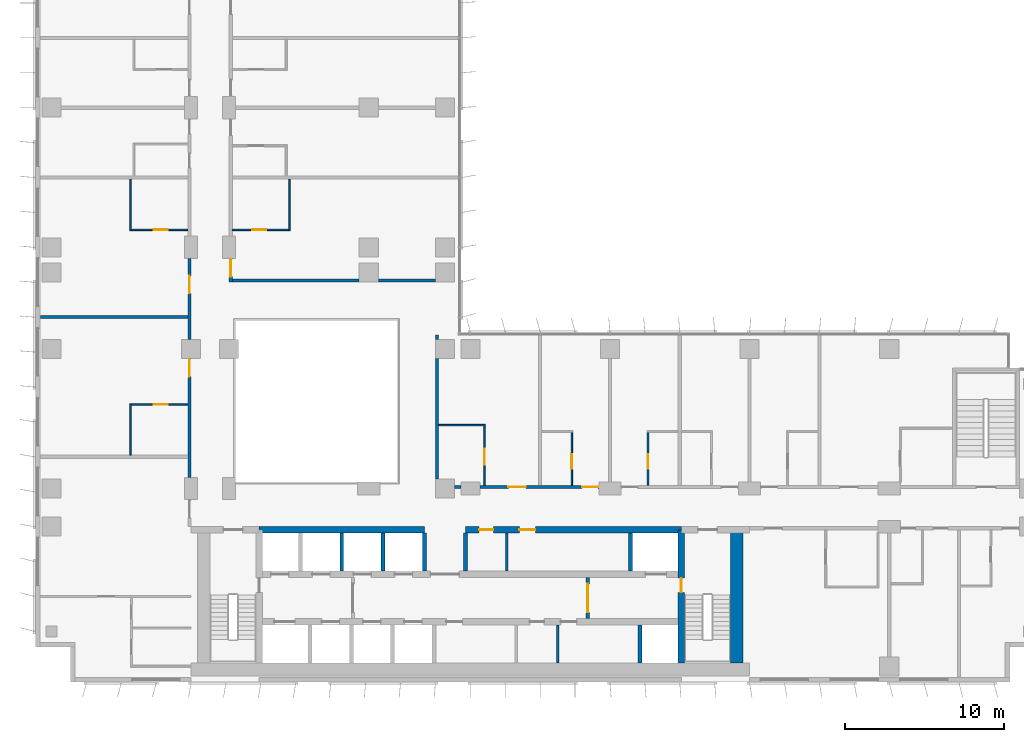
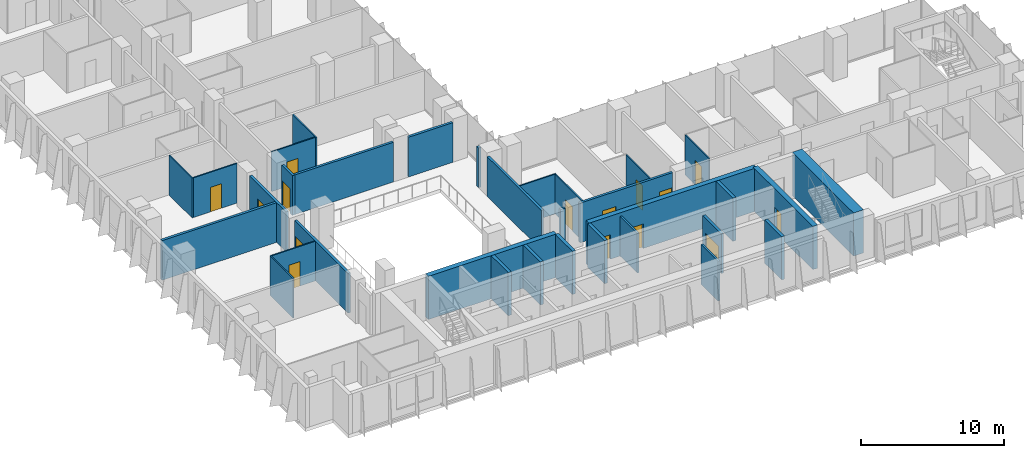
# One storey, part 13 of 23: 33 walls, 15 doors, 15 openings.
"""IFC4 building model written with IfcOpenShell, lengths in metres."""

from ifc_helpers import new_model, si_unit, direction, frame, frame_2d, origin, place, context, subcontext, project, spatial, rectangle, extrude, material, layer, layer_set, type_object, element, fill, save


model = new_model("IFC4")

# Units and contexts
model_context = context("Model", 3, precision=1e-05, world=origin(), true_north=direction((0.0, 1.0)))
body_context = subcontext(model_context, "Body", "Model", "MODEL_VIEW")
ifc_project = project(units=[si_unit("LENGTHUNIT", "METRE"), si_unit("AREAUNIT", "SQUARE_METRE"), si_unit("VOLUMEUNIT", "CUBIC_METRE"), si_unit("PLANEANGLEUNIT", "RADIAN"), si_unit("MASSUNIT", "GRAM", prefix="KILO")], contexts=[model_context])

# Site, building, storey
site_placement = place(None, origin())
site = spatial("IfcSite", under=ifc_project, at=site_placement, CompositionType="ELEMENT")
building_placement = place(site_placement, origin())
building = spatial("IfcBuilding", under=site, at=building_placement, Name="Kemantara Hotel Tower", CompositionType="ELEMENT")
storey_placement = place(building_placement, frame((0.0, 0.0, 138.300048828125)))
storey = spatial("IfcBuildingStorey", under=building, at=storey_placement, Name="L33", CompositionType="ELEMENT", Elevation=138.300048828125)

# Walls
ifc_material_1 = material(Name="Concrete fc 60 MPa", Category="concrete")
ifc_layer_1 = layer(ifc_material_1, 0.25)
ifc_layer_set_1 = layer_set([ifc_layer_1], Name="Concrete fc 60 MPa")
wall_type_1 = type_object("IfcWallType", Name="CORE WALL 250 FC60", PredefinedType="SHEAR", material=ifc_layer_set_1)
wall_1_placement = place(storey_placement, frame((38.10009765625, 1.199951171875, 0.0), z_axis=(0.0, 0.0, 1.0), x_axis=(0.0, 1.0, 0.0)))
element("IfcWall", 1, at=wall_1_placement, inside=storey, type_object=wall_type_1, Name="CORE WALL CW-DS38.1", PredefinedType="SHEAR", context=body_context, shape_type="SweptSolid", body=[
    extrude(rectangle(XDim=2.400146484375, YDim=0.25, at=frame_2d((1.2001953125, 0.0))), origin(), (0.0, 0.0, 1.0), 3.699951171875),
])
for number, where, z_axis, x_axis, name in (
    (2, (19.300048828125, 7.0, 0.0), (0.0, 0.0, 1.0), (0.0, 1.0, 0.0), "CORE WALL CW-DN19.3"),
    (3, (21.89990234375, 7.0, 0.0), (0.0, 0.0, 1.0), (0.0, 1.0, 0.0), "CORE WALL CW-DN21.9"),
    (4, (24.5, 7.0, 0.0), (0.0, 0.0, 1.0), (0.0, 1.0, 0.0), "CORE WALL CW-DN24.5"),
    (5, (27.10009765625, 7.0, 0.0), (0.0, 0.0, 1.0), (0.0, 1.0, 0.0), "CORE WALL CW-DN27.1"),
    (6, (37.5, 7.0, 0.0), (0.0, 0.0, 1.0), (0.0, 1.0, 0.0), "CORE WALL CW-DN37.5"),
):
    element("IfcWall", number, at=place(storey_placement, frame(where, z_axis=z_axis, x_axis=x_axis)), inside=storey, type_object=wall_type_1, Name=name, PredefinedType="SHEAR", context=body_context, shape_type="SweptSolid", body=[
        extrude(rectangle(XDim=2.39990234375, YDim=0.25, at=frame_2d((1.199951171875, 0.0))), origin(), (0.0, 0.0, 1.0), 3.699951171875),
    ])
ifc_layer_2 = layer(ifc_material_1, 0.39990234375)
ifc_layer_set_2 = layer_set([ifc_layer_2], Name="Concrete fc 60 MPa")
wall_type_2 = type_object("IfcWallType", Name="CORE WALL 400 FC60", PredefinedType="SHEAR", material=ifc_layer_set_2)
wall_2_placement = place(storey_placement, frame((14.10009765625, 9.60009765625, 0.0), z_axis=(0.0, 0.0, 1.0), x_axis=(1.0, 0.0, 0.0)))
element("IfcWall", 7, at=wall_2_placement, inside=storey, type_object=wall_type_2, Name="CORE WALL CW-NN1", PredefinedType="SHEAR", context=body_context, shape_type="SweptSolid", body=[
    extrude(rectangle(XDim=10.39990234375, YDim=0.39990234375, at=frame_2d((5.199951171875, 0.0))), origin(), (0.0, 0.0, 1.0), 3.699951171875),
])

# Wall, openings, doors
wall_3_placement = place(storey_placement, frame((27.10009765625, 9.60009765625, 0.0), z_axis=(0.0, 0.0, 1.0), x_axis=(1.0, 0.0, 0.0)))
wall_3 = element("IfcWall", 8, at=wall_3_placement, inside=storey, type_object=wall_type_2, Name="CORE WALL CW-NN2", PredefinedType="SHEAR", context=body_context, shape_type="SweptSolid", body=[
    extrude(rectangle(XDim=13.599853515625, YDim=0.39990234375, at=frame_2d((6.7998046875, 0.0))), origin(), (0.0, 0.0, 1.0), 3.699951171875),
])
opening_1_placement = place(wall_3_placement, frame((0.85009765625, 0.0, 0.0)))
opening_1 = element("IfcOpeningElement", 9, at=opening_1_placement, cuts=wall_3, Name="Opening C22-R-NE1", PredefinedType="OPENING", context=body_context, shape_type="SweptSolid", body=[
    extrude(rectangle(XDim=0.89990234375, YDim=2.10009765625, at=frame_2d((0.449951171875, 1.050048828125))), frame((0.0, 0.2099609375, 0.0), z_axis=(0.0, -1.0, 0.0), x_axis=(1.0, 0.0, 0.0)), (0.0, 0.0, 1.0), 0.419921875),
])
opening_2_placement = place(wall_3_placement, frame((3.39990234375, 0.0, 0.0)))
opening_2 = element("IfcOpeningElement", 10, at=opening_2_placement, cuts=wall_3, Name="Opening C22-R-NE2", PredefinedType="OPENING", context=body_context, shape_type="SweptSolid", body=[
    extrude(rectangle(XDim=1.0, YDim=2.10009765625, at=frame_2d((0.5, 1.050048828125))), frame((0.0, 0.2099609375, 0.0), z_axis=(0.0, -1.0, 0.0), x_axis=(1.0, 0.0, 0.0)), (0.0, 0.0, 1.0), 0.419921875),
])
ifc_material_2 = material(Name="Steel fire door", Category="steel")
door_type_1 = type_object("IfcDoorType", Name="Fire door FD30S 1000 x 2100", OperationType="NOTDEFINED", PredefinedType="DOOR", material=ifc_material_2)
door_1_placement = place(opening_2_placement, frame((1.0, 0.0, 0.0), z_axis=(0.0, 0.0, 1.0), x_axis=(-1.0, 0.0, 0.0)))
door_1 = element("IfcDoor", 11, at=door_1_placement, inside=storey, type_object=door_type_1, Name="Linen Store door", OperationType="SINGLE_SWING_RIGHT", OverallHeight=2.10009765625, OverallWidth=1.0, PredefinedType="DOOR", context=body_context, shape_type="SweptSolid", body=[
    extrude(rectangle(XDim=1.0, YDim=2.10009765625, at=frame_2d((0.5, 1.050048828125))), frame((0.0, 0.02490234375, 0.0), z_axis=(0.0, -1.0, 0.0), x_axis=(1.0, 0.0, 0.0)), (0.0, 0.0, 1.0), 0.050048828125),
])
fill(opening_2, door_1)
door_type_2 = type_object("IfcDoorType", Name="Fire door FD30S 900 x 2100", OperationType="NOTDEFINED", PredefinedType="DOOR", material=ifc_material_2)
door_2_placement = place(opening_1_placement, frame((0.89990234375, 0.0, 0.0), z_axis=(0.0, 0.0, 1.0), x_axis=(-1.0, 0.0, 0.0)))
door_2 = element("IfcDoor", 12, at=door_2_placement, inside=storey, type_object=door_type_2, Name="Staff Wc door", OperationType="SINGLE_SWING_RIGHT", OverallHeight=2.10009765625, OverallWidth=0.89990234375, PredefinedType="DOOR", context=body_context, shape_type="SweptSolid", body=[
    extrude(rectangle(XDim=0.89990234375, YDim=2.10009765625, at=frame_2d((0.449951171875, 1.050048828125))), frame((0.0, 0.02490234375, 0.0), z_axis=(0.0, -1.0, 0.0), x_axis=(1.0, 0.0, 0.0)), (0.0, 0.0, 1.0), 0.050048828125),
])
fill(opening_1, door_2)

# Wall, opening, door
wall_4_placement = place(storey_placement, frame((40.699951171875, 1.199951171875, 0.0), z_axis=(0.0, 0.0, 1.0), x_axis=(0.0, 1.0, 0.0)))
wall_4 = element("IfcWall", 13, at=wall_4_placement, inside=storey, type_object=wall_type_2, Name="CORE WALL CW-ST2W", PredefinedType="SHEAR", context=body_context, shape_type="SweptSolid", body=[
    extrude(rectangle(XDim=8.400146484375, YDim=0.39990234375, at=frame_2d((4.2001953125, 0.0))), origin(), (0.0, 0.0, 1.0), 3.699951171875),
])
opening_3_placement = place(wall_4_placement, frame((4.449951171875, 0.0, 0.0)))
opening_3 = element("IfcOpeningElement", 14, at=opening_3_placement, cuts=wall_4, Name="Opening C22-ST2-F", PredefinedType="OPENING", context=body_context, shape_type="SweptSolid", body=[
    extrude(rectangle(XDim=0.89990234375, YDim=2.10009765625, at=frame_2d((0.449951171875, 1.050048828125))), frame((0.0, 0.2099609375, 0.0), z_axis=(0.0, -1.0, 0.0), x_axis=(1.0, 0.0, 0.0)), (0.0, 0.0, 1.0), 0.419921875),
])
door_type_3 = type_object("IfcDoorType", Name="Fire door FD90 900 x 2100", OperationType="NOTDEFINED", PredefinedType="DOOR", material=ifc_material_2)
door_3_placement = place(opening_3_placement, frame((0.89990234375, 0.0, 0.0), z_axis=(0.0, 0.0, 1.0), x_axis=(-1.0, 0.0, 0.0)))
door_3 = element("IfcDoor", 15, at=door_3_placement, inside=storey, type_object=door_type_3, Name="Stair ST2 door to firefighting lobby", OperationType="SINGLE_SWING_LEFT", OverallHeight=2.10009765625, OverallWidth=0.89990234375, PredefinedType="DOOR", context=body_context, shape_type="SweptSolid", body=[
    extrude(rectangle(XDim=0.89990234375, YDim=2.10009765625, at=frame_2d((0.449951171875, 1.050048828125))), frame((0.0, 0.02490234375, 0.0), z_axis=(0.0, -1.0, 0.0), x_axis=(1.0, 0.0, 0.0)), (0.0, 0.0, 1.0), 0.050048828125),
])
fill(opening_3, door_3)

# Walls
ifc_layer_3 = layer(ifc_material_1, 0.800048828125)
ifc_layer_set_3 = layer_set([ifc_layer_3], Name="Concrete fc 60 MPa")
wall_type_3 = type_object("IfcWallType", Name="CORE WALL 800 FC60", PredefinedType="SHEAR", material=ifc_layer_set_3)
wall_5_placement = place(storey_placement, frame((44.199951171875, 1.199951171875, 0.0), z_axis=(0.0, 0.0, 1.0), x_axis=(0.0, 1.0, 0.0)))
element("IfcWall", 16, at=wall_5_placement, inside=storey, type_object=wall_type_3, Name="CORE WALL CW-E", PredefinedType="SHEAR", context=body_context, shape_type="SweptSolid", body=[
    extrude(rectangle(XDim=8.60009765625, YDim=0.800048828125, at=frame_2d((4.300048828125, 0.0))), origin(), (0.0, 0.0, 1.0), 3.699951171875),
])
ifc_material_3 = material(Name="Gypsum board partition, steel studs and mineral wool, 200 mm", Category="steel")
ifc_layer_4 = layer(ifc_material_3, 0.199951171875)
ifc_layer_set_4 = layer_set([ifc_layer_4], Name="Gypsum board partition, steel studs and mineral wool, 200 mm")
wall_type_4 = type_object("IfcWallType", Name="CORRIDOR WALL 200", PredefinedType="PARTITIONING", material=ifc_layer_set_4)
wall_6_placement = place(storey_placement, frame((26.400146484375, 12.300048828125, 0.0), z_axis=(0.0, 0.0, 1.0), x_axis=(1.0, 0.0, 0.0)))
element("IfcWall", 17, at=wall_6_placement, inside=storey, type_object=wall_type_4, Name="CORRIDOR WALL 200 005", PredefinedType="PARTITIONING", context=body_context, shape_type="SweptSolid", body=[
    extrude(rectangle(XDim=0.399658203125, YDim=0.199951171875, at=frame_2d((0.19970703125, 0.0))), origin(), (0.0, 0.0, 1.0), 3.39990234375),
])

# Wall, openings, doors
wall_7_placement = place(storey_placement, frame((28.0, 12.300048828125, 0.0), z_axis=(0.0, 0.0, 1.0), x_axis=(1.0, 0.0, 0.0)))
wall_7 = element("IfcWall", 18, at=wall_7_placement, inside=storey, type_object=wall_type_4, Name="CORRIDOR WALL 200 006", PredefinedType="PARTITIONING", context=body_context, shape_type="SweptSolid", body=[
    extrude(rectangle(XDim=7.5, YDim=0.199951171875, at=frame_2d((3.75, 0.0))), origin(), (0.0, 0.0, 1.0), 3.39990234375),
])
opening_4_placement = place(wall_7_placement, frame((1.7998046875, 0.0, 0.0)))
opening_4 = element("IfcOpeningElement", 19, at=opening_4_placement, cuts=wall_7, Name="Opening F15-007", PredefinedType="OPENING", context=body_context, shape_type="SweptSolid", body=[
    extrude(rectangle(XDim=1.10009765625, YDim=2.10009765625, at=frame_2d((0.550048828125, 1.050048828125))), frame((0.0, 0.10986328125, 0.0), z_axis=(0.0, -1.0, 0.0), x_axis=(1.0, 0.0, 0.0)), (0.0, 0.0, 1.0), 0.219970703125),
])
opening_5_placement = place(wall_7_placement, frame((6.449951171875, 0.0, 0.0)))
opening_5 = element("IfcOpeningElement", 20, at=opening_5_placement, cuts=wall_7, Name="Opening F15-009", PredefinedType="OPENING", context=body_context, shape_type="SweptSolid", body=[
    extrude(rectangle(XDim=1.0, YDim=2.10009765625, at=frame_2d((0.5, 1.050048828125))), frame((0.0, 0.10986328125, 0.0), z_axis=(0.0, -1.0, 0.0), x_axis=(1.0, 0.0, 0.0)), (0.0, 0.0, 1.0), 0.219970703125),
])
ifc_material_4 = material(Name="Hardwood veneer door leaf with steel frame", Category="steel")
door_type_4 = type_object("IfcDoorType", Name="GUEST ROOM DOOR 1000 X 2100 FD30S", OperationType="NOTDEFINED", PredefinedType="DOOR", material=ifc_material_4)
door_4_placement = place(opening_5_placement, origin())
door_4 = element("IfcDoor", 21, at=door_4_placement, inside=storey, type_object=door_type_4, Name="GUEST ROOM DOOR F15-009", OperationType="SINGLE_SWING_RIGHT", OverallHeight=2.10009765625, OverallWidth=1.0, PredefinedType="DOOR", context=body_context, shape_type="SweptSolid", body=[
    extrude(rectangle(XDim=1.0, YDim=2.10009765625, at=frame_2d((0.5, 1.050048828125))), frame((0.0, 0.02490234375, 0.0), z_axis=(0.0, -1.0, 0.0), x_axis=(1.0, 0.0, 0.0)), (0.0, 0.0, 1.0), 0.050048828125),
])
fill(opening_5, door_4)
door_type_5 = type_object("IfcDoorType", Name="GUEST ROOM DOOR 1100 X 2100 FD30S", OperationType="NOTDEFINED", PredefinedType="DOOR", material=ifc_material_4)
door_5_placement = place(opening_4_placement, origin())
door_5 = element("IfcDoor", 22, at=door_5_placement, inside=storey, type_object=door_type_5, Name="GUEST ROOM DOOR F15-007", OperationType="SINGLE_SWING_RIGHT", OverallHeight=2.10009765625, OverallWidth=1.10009765625, PredefinedType="DOOR", context=body_context, shape_type="SweptSolid", body=[
    extrude(rectangle(XDim=1.10009765625, YDim=2.10009765625, at=frame_2d((0.550048828125, 1.050048828125))), frame((0.0, 0.02490234375, 0.0), z_axis=(0.0, -1.0, 0.0), x_axis=(1.0, 0.0, 0.0)), (0.0, 0.0, 1.0), 0.050048828125),
])
fill(opening_4, door_5)

# Wall, opening, door
wall_8_placement = place(storey_placement, frame((9.699951171875, 12.900146484375, 0.0), z_axis=(0.0, 0.0, 1.0), x_axis=(0.0, 1.0, 0.0)))
wall_8 = element("IfcWall", 23, at=wall_8_placement, inside=storey, type_object=wall_type_4, Name="CORRIDOR WALL 200 018", PredefinedType="PARTITIONING", context=body_context, shape_type="SweptSolid", body=[
    extrude(rectangle(XDim=7.499755859375, YDim=0.199951171875, at=frame_2d((3.75, 0.0))), origin(), (0.0, 0.0, 1.0), 3.39990234375),
])
opening_6_placement = place(wall_8_placement, frame((6.349853515625, 0.0, 0.0)))
opening_6 = element("IfcOpeningElement", 24, at=opening_6_placement, cuts=wall_8, Name="Opening F15-023", PredefinedType="OPENING", context=body_context, shape_type="SweptSolid", body=[
    extrude(rectangle(XDim=1.10009765625, YDim=2.10009765625, at=frame_2d((0.550048828125, 1.050048828125))), frame((0.0, 0.10986328125, 0.0), z_axis=(0.0, -1.0, 0.0), x_axis=(1.0, 0.0, 0.0)), (0.0, 0.0, 1.0), 0.219970703125),
])
door_type_6 = type_object("IfcDoorType", Name="SUITE ENTRANCE DOOR 1100 X 2100 FD30S", OperationType="NOTDEFINED", PredefinedType="DOOR", material=ifc_material_4)
door_6_placement = place(opening_6_placement, origin())
door_6 = element("IfcDoor", 25, at=door_6_placement, inside=storey, type_object=door_type_6, Name="SUITE ENTRANCE DOOR F15-023", OperationType="SINGLE_SWING_RIGHT", OverallHeight=2.10009765625, OverallWidth=1.10009765625, PredefinedType="DOOR", context=body_context, shape_type="SweptSolid", body=[
    extrude(rectangle(XDim=1.10009765625, YDim=2.10009765625, at=frame_2d((0.550048828125, 1.050048828125))), frame((0.0, 0.02490234375, 0.0), z_axis=(0.0, -1.0, 0.0), x_axis=(1.0, 0.0, 0.0)), (0.0, 0.0, 1.0), 0.050048828125),
])
fill(opening_6, door_6)

wall_9_placement = place(storey_placement, frame((9.699951171875, 21.60009765625, 0.0), z_axis=(0.0, 0.0, 1.0), x_axis=(0.0, 1.0, 0.0)))
wall_9 = element("IfcWall", 26, at=wall_9_placement, inside=storey, type_object=wall_type_4, Name="CORRIDOR WALL 200 019", PredefinedType="PARTITIONING", context=body_context, shape_type="SweptSolid", body=[
    extrude(rectangle(XDim=5.099853515625, YDim=0.199951171875, at=frame_2d((2.5498046875, 0.0))), origin(), (0.0, 0.0, 1.0), 3.39990234375),
])
opening_7_placement = place(wall_9_placement, frame((2.89990234375, 0.0, 0.0)))
opening_7 = element("IfcOpeningElement", 27, at=opening_7_placement, cuts=wall_9, Name="Opening F15-025", PredefinedType="OPENING", context=body_context, shape_type="SweptSolid", body=[
    extrude(rectangle(XDim=1.10009765625, YDim=2.10009765625, at=frame_2d((0.550048828125, 1.050048828125))), frame((0.0, 0.10986328125, 0.0), z_axis=(0.0, -1.0, 0.0), x_axis=(1.0, 0.0, 0.0)), (0.0, 0.0, 1.0), 0.219970703125),
])
door_7_placement = place(opening_7_placement, origin())
door_7 = element("IfcDoor", 28, at=door_7_placement, inside=storey, type_object=door_type_6, Name="SUITE ENTRANCE DOOR F15-025", OperationType="SINGLE_SWING_LEFT", OverallHeight=2.10009765625, OverallWidth=1.10009765625, PredefinedType="DOOR", context=body_context, shape_type="SweptSolid", body=[
    extrude(rectangle(XDim=1.10009765625, YDim=2.10009765625, at=frame_2d((0.550048828125, 1.050048828125))), frame((0.0, 0.02490234375, 0.0), z_axis=(0.0, -1.0, 0.0), x_axis=(1.0, 0.0, 0.0)), (0.0, 0.0, 1.0), 0.050048828125),
])
fill(opening_7, door_7)

wall_10_placement = place(storey_placement, frame((12.300048828125, 26.699951171875, 0.0), z_axis=(0.0, 0.0, 1.0), x_axis=(0.0, -1.0, 0.0)))
wall_10 = element("IfcWall", 29, at=wall_10_placement, inside=storey, type_object=wall_type_4, Name="CORRIDOR WALL 200 039", PredefinedType="PARTITIONING", context=body_context, shape_type="SweptSolid", body=[
    extrude(rectangle(XDim=1.5, YDim=0.199951171875, at=frame_2d((0.75, 0.0))), origin(), (0.0, 0.0, 1.0), 3.39990234375),
])
opening_8_placement = place(wall_10_placement, frame((0.0498046875, 0.0, 0.0)))
opening_8 = element("IfcOpeningElement", 30, at=opening_8_placement, cuts=wall_10, Name="Opening F15-041", PredefinedType="OPENING", context=body_context, shape_type="SweptSolid", body=[
    extrude(rectangle(XDim=1.10009765625, YDim=2.10009765625, at=frame_2d((0.550048828125, 1.050048828125))), frame((0.0, 0.10986328125, 0.0), z_axis=(0.0, -1.0, 0.0), x_axis=(1.0, 0.0, 0.0)), (0.0, 0.0, 1.0), 0.219970703125),
])
door_8_placement = place(opening_8_placement, origin())
door_8 = element("IfcDoor", 31, at=door_8_placement, inside=storey, type_object=door_type_6, Name="SUITE ENTRANCE DOOR F15-041", OperationType="SINGLE_SWING_RIGHT", OverallHeight=2.10009765625, OverallWidth=1.10009765625, PredefinedType="DOOR", context=body_context, shape_type="SweptSolid", body=[
    extrude(rectangle(XDim=1.10009765625, YDim=2.10009765625, at=frame_2d((0.550048828125, 1.050048828125))), frame((0.0, 0.02490234375, 0.0), z_axis=(0.0, -1.0, 0.0), x_axis=(1.0, 0.0, 0.0)), (0.0, 0.0, 1.0), 0.050048828125),
])
fill(opening_8, door_8)

# Walls
ifc_layer_5 = layer(ifc_material_3, 0.199951171875)
ifc_layer_set_5 = layer_set([ifc_layer_5], Name="Gypsum board partition, steel studs and mineral wool, 200 mm")
wall_type_5 = type_object("IfcWallType", Name="GUEST ROOM PARTY WALL 200", PredefinedType="PARTITIONING", material=ifc_layer_set_5)
wall_11_placement = place(storey_placement, frame((25.300048828125, 12.800048828125, 0.0), z_axis=(0.0, 0.0, 1.0), x_axis=(0.0, 1.0, 0.0)))
element("IfcWall", 32, at=wall_11_placement, inside=storey, type_object=wall_type_5, Name="GUEST ROOM PARTY WALL 200 010", PredefinedType="PARTITIONING", context=body_context, shape_type="SweptSolid", body=[
    extrude(rectangle(XDim=7.599853515625, YDim=0.199951171875, at=frame_2d((3.7998046875, 0.0))), origin(), (0.0, 0.0, 1.0), 3.39990234375),
])
wall_12_placement = place(storey_placement, frame((25.300048828125, 21.60009765625, 0.0), z_axis=(0.0, 0.0, 1.0), x_axis=(0.0, 1.0, 0.0)))
element("IfcWall", 33, at=wall_12_placement, inside=storey, type_object=wall_type_5, Name="GUEST ROOM PARTY WALL 200 011", PredefinedType="PARTITIONING", context=body_context, shape_type="SweptSolid", body=[
    extrude(rectangle(XDim=0.27001953125, YDim=0.199951171875, at=frame_2d((0.135009765625, 0.0))), origin(), (0.0, 0.0, 1.0), 3.39990234375),
])
wall_13_placement = place(storey_placement, frame((0.31005859375, 23.0, 0.0), z_axis=(0.0, 0.0, 1.0), x_axis=(1.0, 0.0, 0.0)))
element("IfcWall", 34, at=wall_13_placement, inside=storey, type_object=wall_type_5, Name="GUEST ROOM PARTY WALL 200 027", PredefinedType="PARTITIONING", context=body_context, shape_type="SweptSolid", body=[
    extrude(rectangle(XDim=9.2900390625, YDim=0.199951171875, at=frame_2d((4.64501953125, 0.0))), origin(), (0.0, 0.0, 1.0), 3.39990234375),
])
wall_14_placement = place(storey_placement, frame((12.39990234375, 25.300048828125, 0.0), z_axis=(0.0, 0.0, 1.0), x_axis=(1.0, 0.0, 0.0)))
element("IfcWall", 35, at=wall_14_placement, inside=storey, type_object=wall_type_5, Name="GUEST ROOM PARTY WALL 200 046", PredefinedType="PARTITIONING", context=body_context, shape_type="SweptSolid", body=[
    extrude(rectangle(XDim=8.0, YDim=0.199951171875, at=frame_2d((4.0, 0.0))), origin(), (0.0, 0.0, 1.0), 3.39990234375),
])
wall_15_placement = place(storey_placement, frame((21.60009765625, 25.300048828125, 0.0), z_axis=(0.0, 0.0, 1.0), x_axis=(1.0, 0.0, 0.0)))
element("IfcWall", 36, at=wall_15_placement, inside=storey, type_object=wall_type_5, Name="GUEST ROOM PARTY WALL 200 047", PredefinedType="PARTITIONING", context=body_context, shape_type="SweptSolid", body=[
    extrude(rectangle(XDim=3.599853515625, YDim=0.199951171875, at=frame_2d((1.7998046875, 0.0))), origin(), (0.0, 0.0, 1.0), 3.39990234375),
])
ifc_material_5 = material(Name="Gypsum board partition")
ifc_layer_6 = layer(ifc_material_5, 0.14990234375)
ifc_layer_set_6 = layer_set([ifc_layer_6], Name="Gypsum board partition")
wall_type_6 = type_object("IfcWallType", Name="Gypsum board partition 150 mm", PredefinedType="PARTITIONING", material=ifc_layer_set_6)
wall_16_placement = place(storey_placement, frame((29.699951171875, 7.0, 0.0), z_axis=(0.0, 0.0, 1.0), x_axis=(0.0, 1.0, 0.0)))
element("IfcWall", 37, at=wall_16_placement, inside=storey, type_object=wall_type_6, Name="Core room partition", PredefinedType="PARTITIONING", context=body_context, shape_type="SweptSolid", body=[
    extrude(rectangle(XDim=2.39990234375, YDim=0.14990234375, at=frame_2d((1.199951171875, 0.0))), origin(), (0.0, 0.0, 1.0), 3.39990234375),
])
wall_17_placement = place(storey_placement, frame((32.89990234375, 1.199951171875, 0.0), z_axis=(0.0, 0.0, 1.0), x_axis=(0.0, 1.0, 0.0)))
element("IfcWall", 38, at=wall_17_placement, inside=storey, type_object=wall_type_6, Name="Core room partition", PredefinedType="PARTITIONING", context=body_context, shape_type="SweptSolid", body=[
    extrude(rectangle(XDim=2.400146484375, YDim=0.14990234375, at=frame_2d((1.2001953125, 0.0))), origin(), (0.0, 0.0, 1.0), 3.39990234375),
])

# Wall, opening, door
ifc_material_6 = material(Name="Gypsum board shaft wall")
ifc_layer_7 = layer(ifc_material_6, 0.199951171875)
ifc_layer_set_7 = layer_set([ifc_layer_7], Name="Gypsum board shaft wall")
wall_type_7 = type_object("IfcWallType", Name="Gypsum board shaft wall 200 mm", PredefinedType="PARTITIONING", material=ifc_layer_set_7)
wall_18_placement = place(storey_placement, frame((34.800048828125, 4.0, 0.0), z_axis=(0.0, 0.0, 1.0), x_axis=(0.0, 1.0, 0.0)))
wall_18 = element("IfcWall", 39, at=wall_18_placement, inside=storey, type_object=wall_type_7, Name="Firefighting lobby partition east", PredefinedType="PARTITIONING", context=body_context, shape_type="SweptSolid", body=[
    extrude(rectangle(XDim=2.60009765625, YDim=0.199951171875, at=frame_2d((1.300048828125, 0.0))), origin(), (0.0, 0.0, 1.0), 3.39990234375),
])
opening_9_placement = place(wall_18_placement, frame((0.39990234375, 0.0, 0.0)))
opening_9 = element("IfcOpeningElement", 40, at=opening_9_placement, cuts=wall_18, Name="Opening C22-FFE", PredefinedType="OPENING", context=body_context, shape_type="SweptSolid", body=[
    extrude(rectangle(XDim=1.800048828125, YDim=2.10009765625, at=frame_2d((0.89990234375, 1.050048828125))), frame((0.0, 0.10986328125, 0.0), z_axis=(0.0, -1.0, 0.0), x_axis=(1.0, 0.0, 0.0)), (0.0, 0.0, 1.0), 0.219970703125),
])
door_type_7 = type_object("IfcDoorType", Name="Fire door pair FD60 1800 x 2100", OperationType="DOUBLE_DOOR_SINGLE_SWING", PredefinedType="DOOR", material=ifc_material_2)
door_9_placement = place(opening_9_placement, frame((1.800048828125, 0.0, 0.0), z_axis=(0.0, 0.0, 1.0), x_axis=(-1.0, 0.0, 0.0)))
door_9 = element("IfcDoor", 41, at=door_9_placement, inside=storey, type_object=door_type_7, Name="Firefighting lobby door east", OperationType="DOUBLE_DOOR_SINGLE_SWING", OverallHeight=2.10009765625, OverallWidth=1.800048828125, PredefinedType="DOOR", context=body_context, shape_type="SweptSolid", body=[
    extrude(rectangle(XDim=1.800048828125, YDim=2.10009765625, at=frame_2d((0.89990234375, 1.050048828125))), frame((0.0, 0.02490234375, 0.0), z_axis=(0.0, -1.0, 0.0), x_axis=(1.0, 0.0, 0.0)), (0.0, 0.0, 1.0), 0.050048828125),
])
fill(opening_9, door_9)

# Wall
ifc_material_7 = material(Name="Gypsum board partition on steel studs, 100 mm", Category="steel")
ifc_layer_8 = layer(ifc_material_7, 0.10009765625)
ifc_layer_set_8 = layer_set([ifc_layer_8], Name="Gypsum board partition on steel studs, 100 mm")
wall_type_8 = type_object("IfcWallType", Name="ROOM PARTITION 100", PredefinedType="PARTITIONING", material=ifc_layer_set_8)
wall_19_placement = place(storey_placement, frame((25.39990234375, 16.199951171875, 0.0), z_axis=(0.0, 0.0, 1.0), x_axis=(1.0, 0.0, 0.0)))
element("IfcWall", 42, at=wall_19_placement, inside=storey, type_object=wall_type_8, Name="ROOM PARTITION 100 058", PredefinedType="PARTITIONING", context=body_context, shape_type="SweptSolid", body=[
    extrude(rectangle(XDim=2.9501953125, YDim=0.10009765625, at=frame_2d((1.47509765625, 0.0))), origin(), (0.0, 0.0, 1.0), 3.39990234375),
])

# Wall, opening, door
wall_20_placement = place(storey_placement, frame((28.300048828125, 12.39990234375, 0.0), z_axis=(0.0, 0.0, 1.0), x_axis=(0.0, 1.0, 0.0)))
wall_20 = element("IfcWall", 43, at=wall_20_placement, inside=storey, type_object=wall_type_8, Name="ROOM PARTITION 100 059", PredefinedType="PARTITIONING", context=body_context, shape_type="SweptSolid", body=[
    extrude(rectangle(XDim=3.75, YDim=0.10009765625, at=frame_2d((1.875, 0.0))), origin(), (0.0, 0.0, 1.0), 3.39990234375),
])
opening_10_placement = place(wall_20_placement, frame((1.300048828125, 0.0, 0.0)))
opening_10 = element("IfcOpeningElement", 44, at=opening_10_placement, cuts=wall_20, Name="Opening F15-008", PredefinedType="OPENING", context=body_context, shape_type="SweptSolid", body=[
    extrude(rectangle(XDim=1.0, YDim=2.10009765625, at=frame_2d((0.5, 1.050048828125))), frame((0.0, 0.06005859375, 0.0), z_axis=(0.0, -1.0, 0.0), x_axis=(1.0, 0.0, 0.0)), (0.0, 0.0, 1.0), 0.1201171875),
])
door_type_8 = type_object("IfcDoorType", Name="BATHROOM DOOR 1000 X 2100", OperationType="NOTDEFINED", PredefinedType="DOOR", material=ifc_material_4)
door_10_placement = place(opening_10_placement, origin())
door_10 = element("IfcDoor", 45, at=door_10_placement, inside=storey, type_object=door_type_8, Name="BATHROOM DOOR F15-008", OperationType="SINGLE_SWING_LEFT", OverallHeight=2.10009765625, OverallWidth=1.0, PredefinedType="DOOR", context=body_context, shape_type="SweptSolid", body=[
    extrude(rectangle(XDim=1.0, YDim=2.10009765625, at=frame_2d((0.5, 1.050048828125))), frame((0.0, 0.02490234375, 0.0), z_axis=(0.0, -1.0, 0.0), x_axis=(1.0, 0.0, 0.0)), (0.0, 0.0, 1.0), 0.050048828125),
])
fill(opening_10, door_10)

wall_21_placement = place(storey_placement, frame((33.800048828125, 12.39990234375, 0.0), z_axis=(0.0, 0.0, 1.0), x_axis=(0.0, 1.0, 0.0)))
wall_21 = element("IfcWall", 46, at=wall_21_placement, inside=storey, type_object=wall_type_8, Name="ROOM PARTITION 100 064", PredefinedType="PARTITIONING", context=body_context, shape_type="SweptSolid", body=[
    extrude(rectangle(XDim=3.35009765625, YDim=0.10009765625, at=frame_2d((1.675048828125, 0.0))), origin(), (0.0, 0.0, 1.0), 3.39990234375),
])
opening_11_placement = place(wall_21_placement, frame((1.050048828125, 0.0, 0.0)))
opening_11 = element("IfcOpeningElement", 47, at=opening_11_placement, cuts=wall_21, Name="Opening F15-010", PredefinedType="OPENING", context=body_context, shape_type="SweptSolid", body=[
    extrude(rectangle(XDim=0.89990234375, YDim=2.10009765625, at=frame_2d((0.449951171875, 1.050048828125))), frame((0.0, 0.06005859375, 0.0), z_axis=(0.0, -1.0, 0.0), x_axis=(1.0, 0.0, 0.0)), (0.0, 0.0, 1.0), 0.1201171875),
])
door_type_9 = type_object("IfcDoorType", Name="BATHROOM DOOR 900 X 2100", OperationType="NOTDEFINED", PredefinedType="DOOR", material=ifc_material_4)
door_11_placement = place(opening_11_placement, origin())
door_11 = element("IfcDoor", 48, at=door_11_placement, inside=storey, type_object=door_type_9, Name="BATHROOM DOOR F15-010", OperationType="SINGLE_SWING_LEFT", OverallHeight=2.10009765625, OverallWidth=0.89990234375, PredefinedType="DOOR", context=body_context, shape_type="SweptSolid", body=[
    extrude(rectangle(XDim=0.89990234375, YDim=2.10009765625, at=frame_2d((0.449951171875, 1.050048828125))), frame((0.0, 0.02490234375, 0.0), z_axis=(0.0, -1.0, 0.0), x_axis=(1.0, 0.0, 0.0)), (0.0, 0.0, 1.0), 0.050048828125),
])
fill(opening_11, door_11)

wall_22_placement = place(storey_placement, frame((38.60009765625, 15.75, 0.0), z_axis=(0.0, 0.0, 1.0), x_axis=(0.0, -1.0, 0.0)))
wall_22 = element("IfcWall", 49, at=wall_22_placement, inside=storey, type_object=wall_type_8, Name="ROOM PARTITION 100 065", PredefinedType="PARTITIONING", context=body_context, shape_type="SweptSolid", body=[
    extrude(rectangle(XDim=3.35009765625, YDim=0.10009765625, at=frame_2d((1.675048828125, 0.0))), origin(), (0.0, 0.0, 1.0), 3.39990234375),
])
opening_12_placement = place(wall_22_placement, frame((1.39990234375, 0.0, 0.0)))
opening_12 = element("IfcOpeningElement", 50, at=opening_12_placement, cuts=wall_22, Name="Opening F15-012", PredefinedType="OPENING", context=body_context, shape_type="SweptSolid", body=[
    extrude(rectangle(XDim=0.89990234375, YDim=2.10009765625, at=frame_2d((0.449951171875, 1.050048828125))), frame((0.0, 0.06005859375, 0.0), z_axis=(0.0, -1.0, 0.0), x_axis=(1.0, 0.0, 0.0)), (0.0, 0.0, 1.0), 0.1201171875),
])
door_12_placement = place(opening_12_placement, origin())
door_12 = element("IfcDoor", 51, at=door_12_placement, inside=storey, type_object=door_type_9, Name="BATHROOM DOOR F15-012", OperationType="SINGLE_SWING_RIGHT", OverallHeight=2.10009765625, OverallWidth=0.89990234375, PredefinedType="DOOR", context=body_context, shape_type="SweptSolid", body=[
    extrude(rectangle(XDim=0.89990234375, YDim=2.10009765625, at=frame_2d((0.449951171875, 1.050048828125))), frame((0.0, 0.02490234375, 0.0), z_axis=(0.0, -1.0, 0.0), x_axis=(1.0, 0.0, 0.0)), (0.0, 0.0, 1.0), 0.050048828125),
])
fill(opening_12, door_12)

# Walls
for number, where, z_axis, x_axis, name in (
    (52, (6.0, 14.300048828125, 0.0), (0.0, 0.0, 1.0), (0.0, 1.0, 0.0), "ROOM PARTITION 100 075"),
    (53, (6.0, 28.449951171875, 0.0), (0.0, 0.0, 1.0), (0.0, 1.0, 0.0), "ROOM PARTITION 100 076"),
):
    element("IfcWall", number, at=place(storey_placement, frame(where, z_axis=z_axis, x_axis=x_axis)), inside=storey, type_object=wall_type_8, Name=name, PredefinedType="PARTITIONING", context=body_context, shape_type="SweptSolid", body=[
        extrude(rectangle(XDim=3.25, YDim=0.10009765625, at=frame_2d((1.625, 0.0))), origin(), (0.0, 0.0, 1.0), 3.39990234375),
    ])

# Wall, opening, door
wall_23_placement = place(storey_placement, frame((9.60009765625, 17.5, 0.0), z_axis=(0.0, 0.0, 1.0), x_axis=(-1.0, 0.0, 0.0)))
wall_23 = element("IfcWall", 54, at=wall_23_placement, inside=storey, type_object=wall_type_8, Name="ROOM PARTITION 100 079", PredefinedType="PARTITIONING", context=body_context, shape_type="SweptSolid", body=[
    extrude(rectangle(XDim=3.550048828125, YDim=0.10009765625, at=frame_2d((1.77490234375, 0.0))), origin(), (0.0, 0.0, 1.0), 3.39990234375),
])
opening_13_placement = place(wall_23_placement, frame((1.25, 0.0, 0.0)))
opening_13 = element("IfcOpeningElement", 55, at=opening_13_placement, cuts=wall_23, Name="Opening F15-024", PredefinedType="OPENING", context=body_context, shape_type="SweptSolid", body=[
    extrude(rectangle(XDim=0.89990234375, YDim=2.10009765625, at=frame_2d((0.449951171875, 1.050048828125))), frame((0.0, 0.06005859375, 0.0), z_axis=(0.0, -1.0, 0.0), x_axis=(1.0, 0.0, 0.0)), (0.0, 0.0, 1.0), 0.1201171875),
])
door_13_placement = place(opening_13_placement, origin())
door_13 = element("IfcDoor", 56, at=door_13_placement, inside=storey, type_object=door_type_9, Name="BATHROOM DOOR F15-024", OperationType="SINGLE_SWING_LEFT", OverallHeight=2.10009765625, OverallWidth=0.89990234375, PredefinedType="DOOR", context=body_context, shape_type="SweptSolid", body=[
    extrude(rectangle(XDim=0.89990234375, YDim=2.10009765625, at=frame_2d((0.449951171875, 1.050048828125))), frame((0.0, 0.02490234375, 0.0), z_axis=(0.0, -1.0, 0.0), x_axis=(1.0, 0.0, 0.0)), (0.0, 0.0, 1.0), 0.050048828125),
])
fill(opening_13, door_13)

wall_24_placement = place(storey_placement, frame((6.050048828125, 28.5, 0.0), z_axis=(0.0, 0.0, 1.0), x_axis=(1.0, 0.0, 0.0)))
wall_24 = element("IfcWall", 57, at=wall_24_placement, inside=storey, type_object=wall_type_8, Name="ROOM PARTITION 100 080", PredefinedType="PARTITIONING", context=body_context, shape_type="SweptSolid", body=[
    extrude(rectangle(XDim=3.550048828125, YDim=0.10009765625, at=frame_2d((1.77490234375, 0.0))), origin(), (0.0, 0.0, 1.0), 3.39990234375),
])
opening_14_placement = place(wall_24_placement, frame((1.39990234375, 0.0, 0.0)))
opening_14 = element("IfcOpeningElement", 58, at=opening_14_placement, cuts=wall_24, Name="Opening F15-026", PredefinedType="OPENING", context=body_context, shape_type="SweptSolid", body=[
    extrude(rectangle(XDim=0.89990234375, YDim=2.10009765625, at=frame_2d((0.449951171875, 1.050048828125))), frame((0.0, 0.06005859375, 0.0), z_axis=(0.0, -1.0, 0.0), x_axis=(1.0, 0.0, 0.0)), (0.0, 0.0, 1.0), 0.1201171875),
])
door_14_placement = place(opening_14_placement, origin())
door_14 = element("IfcDoor", 59, at=door_14_placement, inside=storey, type_object=door_type_9, Name="BATHROOM DOOR F15-026", OperationType="SINGLE_SWING_RIGHT", OverallHeight=2.10009765625, OverallWidth=0.89990234375, PredefinedType="DOOR", context=body_context, shape_type="SweptSolid", body=[
    extrude(rectangle(XDim=0.89990234375, YDim=2.10009765625, at=frame_2d((0.449951171875, 1.050048828125))), frame((0.0, 0.02490234375, 0.0), z_axis=(0.0, -1.0, 0.0), x_axis=(1.0, 0.0, 0.0)), (0.0, 0.0, 1.0), 0.050048828125),
])
fill(opening_14, door_14)

wall_25_placement = place(storey_placement, frame((12.39990234375, 28.5, 0.0), z_axis=(0.0, 0.0, 1.0), x_axis=(1.0, 0.0, 0.0)))
wall_25 = element("IfcWall", 60, at=wall_25_placement, inside=storey, type_object=wall_type_8, Name="ROOM PARTITION 100 081", PredefinedType="PARTITIONING", context=body_context, shape_type="SweptSolid", body=[
    extrude(rectangle(XDim=3.550048828125, YDim=0.10009765625, at=frame_2d((1.77490234375, 0.0))), origin(), (0.0, 0.0, 1.0), 3.39990234375),
])
opening_15_placement = place(wall_25_placement, frame((1.25, 0.0, 0.0)))
opening_15 = element("IfcOpeningElement", 61, at=opening_15_placement, cuts=wall_25, Name="Opening F15-042", PredefinedType="OPENING", context=body_context, shape_type="SweptSolid", body=[
    extrude(rectangle(XDim=0.89990234375, YDim=2.10009765625, at=frame_2d((0.449951171875, 1.050048828125))), frame((0.0, 0.06005859375, 0.0), z_axis=(0.0, -1.0, 0.0), x_axis=(1.0, 0.0, 0.0)), (0.0, 0.0, 1.0), 0.1201171875),
])
door_15_placement = place(opening_15_placement, origin())
door_15 = element("IfcDoor", 62, at=door_15_placement, inside=storey, type_object=door_type_9, Name="BATHROOM DOOR F15-042", OperationType="SINGLE_SWING_LEFT", OverallHeight=2.10009765625, OverallWidth=0.89990234375, PredefinedType="DOOR", context=body_context, shape_type="SweptSolid", body=[
    extrude(rectangle(XDim=0.89990234375, YDim=2.10009765625, at=frame_2d((0.449951171875, 1.050048828125))), frame((0.0, 0.02490234375, 0.0), z_axis=(0.0, -1.0, 0.0), x_axis=(1.0, 0.0, 0.0)), (0.0, 0.0, 1.0), 0.050048828125),
])
fill(opening_15, door_15)

# Wall
wall_26_placement = place(storey_placement, frame((16.0, 28.449951171875, 0.0), z_axis=(0.0, 0.0, 1.0), x_axis=(0.0, 1.0, 0.0)))
element("IfcWall", 63, at=wall_26_placement, inside=storey, type_object=wall_type_8, Name="ROOM PARTITION 100 095", PredefinedType="PARTITIONING", context=body_context, shape_type="SweptSolid", body=[
    extrude(rectangle(XDim=3.25, YDim=0.10009765625, at=frame_2d((1.625, 0.0))), origin(), (0.0, 0.0, 1.0), 3.39990234375),
])

save(model, "model.ifc")
